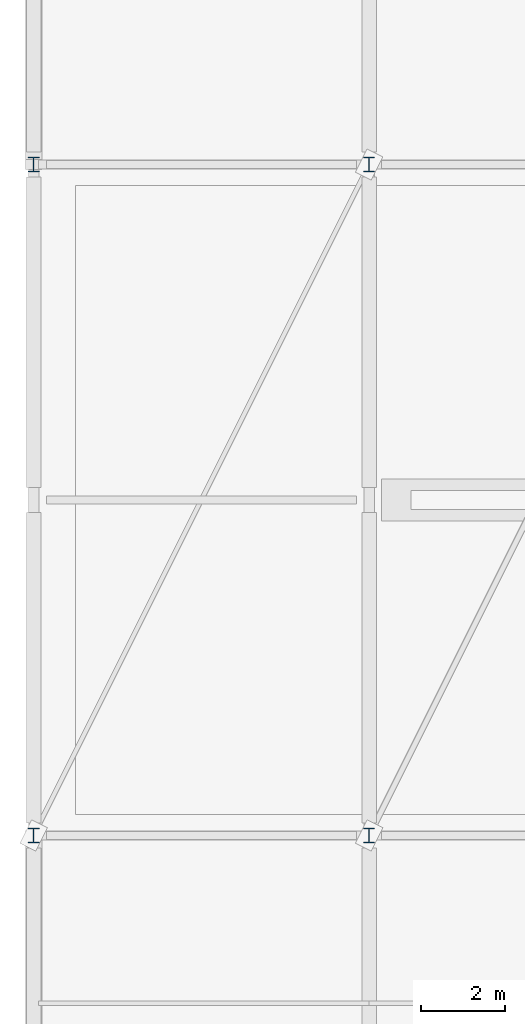
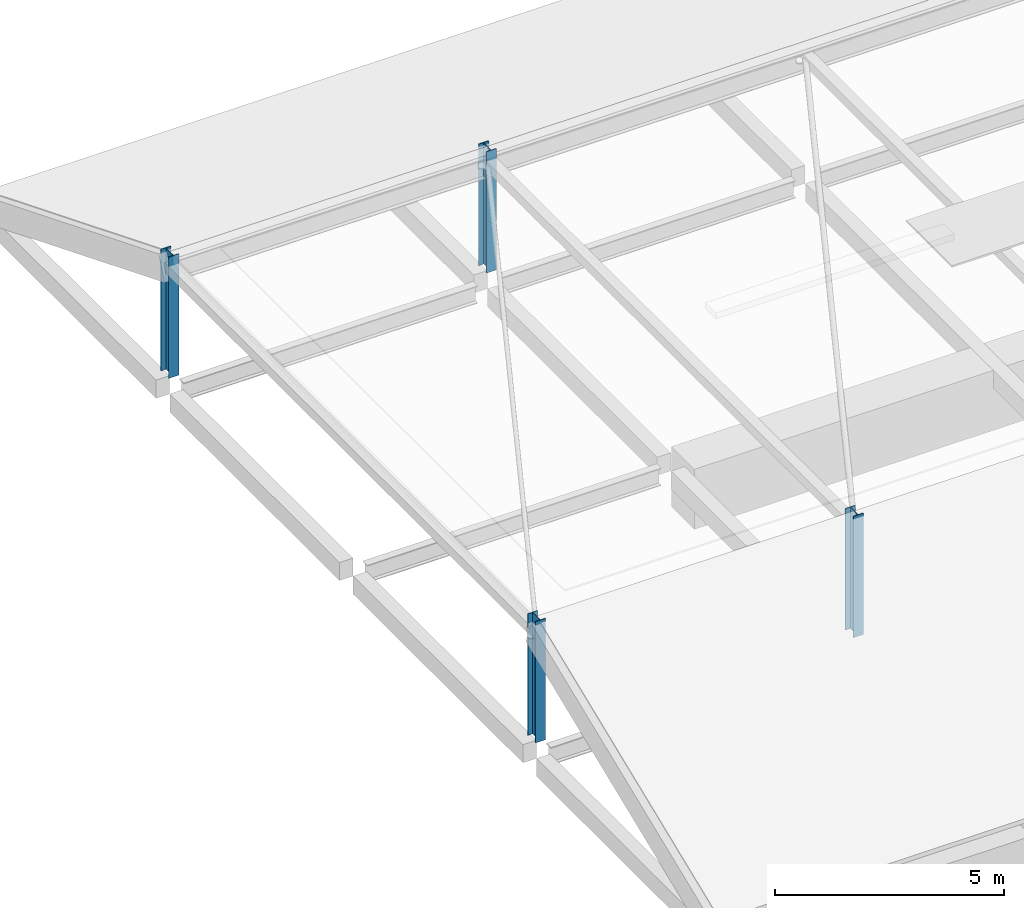
# One storey, part 1 of 47: 4 columns.
"""IFC4 building model written with IfcOpenShell, lengths in metres."""

from ifc_helpers import new_model, si_unit, direction, frame, origin, origin_2d, place, context, subcontext, project, spatial, i_section, extrude, material, material_profile, profile_set, type_object, element, save


model = new_model("IFC4")

# Units and contexts
model_context = context("Model", 3, precision=1e-05, world=origin(), true_north=direction((0.0, 1.0)))
body_context = subcontext(model_context, "Body", "Model", "MODEL_VIEW")
ifc_project = project(units=[si_unit("LENGTHUNIT", "METRE"), si_unit("AREAUNIT", "SQUARE_METRE"), si_unit("VOLUMEUNIT", "CUBIC_METRE"), si_unit("PLANEANGLEUNIT", "RADIAN"), si_unit("MASSUNIT", "GRAM", prefix="KILO")], contexts=[model_context])

# Site, building, storey
site_placement = place(None, origin())
site = spatial("IfcSite", under=ifc_project, at=site_placement, CompositionType="ELEMENT")
building_placement = place(site_placement, origin())
building = spatial("IfcBuilding", under=site, at=building_placement, Name="Pecanmere Concourse Central Library", CompositionType="ELEMENT")
storey_placement = place(building_placement, frame((0.0, 0.0, 15.300048828125)))
storey = spatial("IfcBuildingStorey", under=building, at=storey_placement, Name="L04", CompositionType="ELEMENT", Elevation=15.300048828125)

# Columns
ifc_material = material(Name="Structural steel ASTM A992 Grade 50", Category="steel")
ifc_material_profile = material_profile(ifc_material, i_section(OverallWidth=0.25390625, OverallDepth=0.35302734375, WebThickness=0.009521484375, FlangeThickness=0.016357421875, at=origin_2d()), Name="W360x91")
ifc_profile_set = profile_set([ifc_material_profile], Name="Structural steel ASTM A992 Grade 50")
column_type = type_object("IfcColumnType", Name="COL_STL_W360x91", PredefinedType="COLUMN", material=ifc_profile_set)
for number, where, z_axis, x_axis, name in (
    (1, (0.0, 8.0, 0.0), (0.0, 0.0, 1.0), (1.0, 0.0, 0.0), "Pavilion Ridge Monitor Column 001"),
    (2, (0.0, 24.0, 0.0), (0.0, 0.0, 1.0), (1.0, 0.0, 0.0), "Pavilion Ridge Monitor Column 002"),
    (3, (8.0, 8.0, 0.0), (0.0, 0.0, 1.0), (1.0, 0.0, 0.0), "Pavilion Ridge Monitor Column 003"),
    (4, (8.0, 24.0, 0.0), (0.0, 0.0, 1.0), (1.0, 0.0, 0.0), "Pavilion Ridge Monitor Column 004"),
):
    element("IfcColumn", number, at=place(storey_placement, frame(where, z_axis=z_axis, x_axis=x_axis)), inside=storey, type_object=column_type, Name=name, PredefinedType="COLUMN", context=body_context, shape_type="SweptSolid", body=[
        extrude(i_section(OverallWidth=0.25390625, OverallDepth=0.35302734375, WebThickness=0.009521484375, FlangeThickness=0.016357421875, at=origin_2d()), origin(), (0.0, 0.0, 1.0), 3.232177734375),
    ])

save(model, "model.ifc")
